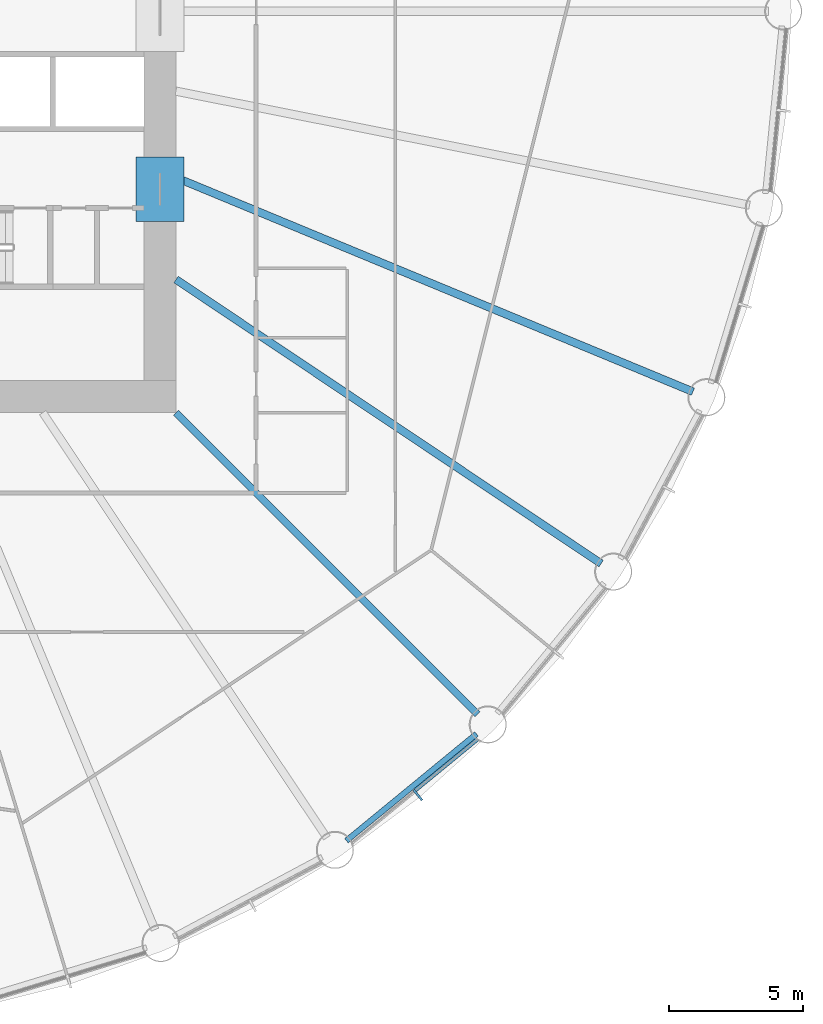
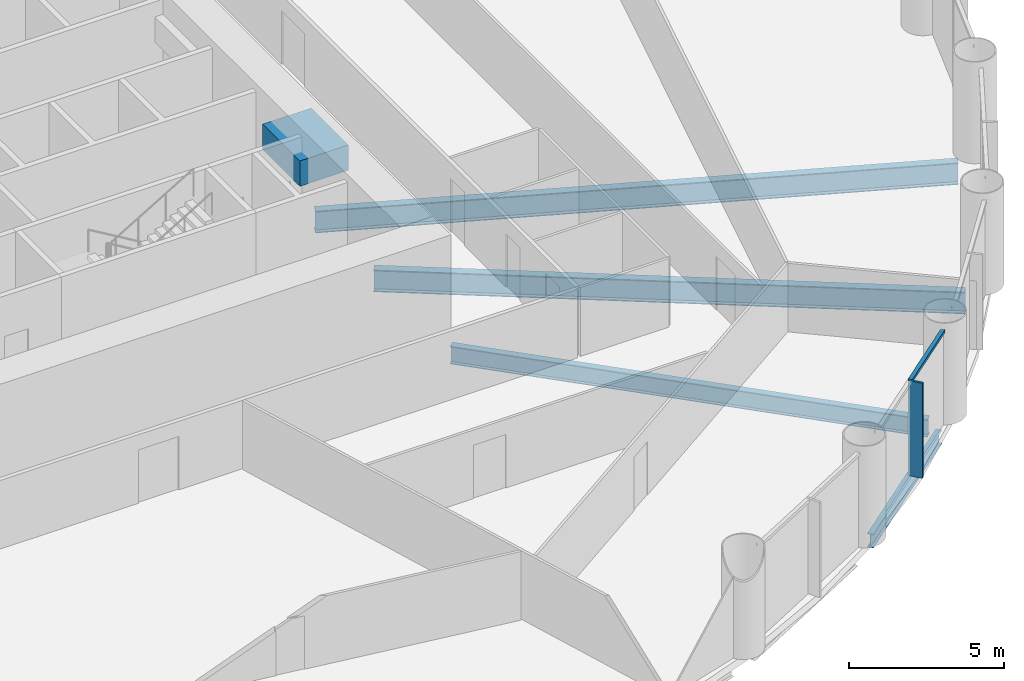
# One storey, part 3 of 15: 5 beams, 2 members, 1 element without a shape of its own.
"""IFC4 building model written with IfcOpenShell, lengths in metres."""

from ifc_helpers import new_model, si_unit, direction, frame, origin, origin_2d, place, context, subcontext, project, spatial, rectangle, i_section, extrude, material, material_profile, profile_set, type_object, element, aggregate, save


model = new_model("IFC4")

# Units and contexts
model_context = context("Model", 3, precision=1e-05, world=origin(), true_north=direction((0.0, 1.0)))
body_context = subcontext(model_context, "Body", "Model", "MODEL_VIEW")
ifc_project = project(units=[si_unit("LENGTHUNIT", "METRE"), si_unit("AREAUNIT", "SQUARE_METRE"), si_unit("VOLUMEUNIT", "CUBIC_METRE"), si_unit("PLANEANGLEUNIT", "RADIAN"), si_unit("MASSUNIT", "GRAM", prefix="KILO")], contexts=[model_context])

# Site, building, storey
site_placement = place(None, origin())
site = spatial("IfcSite", under=ifc_project, at=site_placement, CompositionType="ELEMENT")
building_placement = place(site_placement, origin())
building = spatial("IfcBuilding", under=site, at=building_placement, Name="Corvane Civic Tower", CompositionType="ELEMENT")
storey_placement = place(building_placement, frame((0.0, 0.0, 73.0)))
storey = spatial("IfcBuildingStorey", under=building, at=storey_placement, Name="L16", CompositionType="ELEMENT", Elevation=73.0)

# Beams
ifc_material_1 = material(Name="Concrete C80/95", Category="concrete")
ifc_material_profile_1 = material_profile(ifc_material_1, rectangle(XDim=1.800048828125, YDim=1.0, at=origin_2d()), Name="COUPLING BEAM 1800X1000")
ifc_profile_set_1 = profile_set([ifc_material_profile_1], Name="Concrete C80/95")
beam_type_1 = type_object("IfcBeamType", Name="COUPLING BEAM COUPLING BEAM 1800X1000", PredefinedType="BEAM", material=ifc_profile_set_1)
beam_1_placement = place(storey_placement, frame((14.39990234375, -7.85009765625, 2.60009765625), z_axis=(0.0, 1.0, 0.0), x_axis=(-1.0, 0.0, 0.0)))
element("IfcBeam", 1, at=beam_1_placement, inside=storey, type_object=beam_type_1, Name="BM-L16-cpl-CW-ES", PredefinedType="BEAM", context=body_context, shape_type="SweptSolid", body=[
    extrude(rectangle(XDim=1.800048828125, YDim=1.0, at=origin_2d()), origin(), (0.0, 0.0, 1.0), 2.400146484375),
])
ifc_material_2 = material(Name="Steel ASTM A992 Gr 50", Category="steel")
ifc_material_profile_2 = material_profile(ifc_material_2, i_section(OverallWidth=0.209228515625, OverallDepth=0.533447265625, WebThickness=0.01025390625, FlangeThickness=0.015625, at=origin_2d()), Name="W21X62")
ifc_profile_set_2 = profile_set([ifc_material_profile_2], Name="Steel ASTM A992 Gr 50")
beam_type_2 = type_object("IfcBeamType", Name="EDGE BEAM W21X62", PredefinedType="BEAM", material=ifc_profile_set_2)
beam_2_placement = place(storey_placement, frame((26.23291015625, -27.0068359375, -0.566650390625), z_axis=(-0.773015785286, -0.634386787141, 0.0), x_axis=(0.634386787141, -0.773015785286, 0.0)))
element("IfcBeam", 2, at=beam_2_placement, inside=storey, type_object=beam_type_2, Name="BM-L16-E13", PredefinedType="BEAM", context=body_context, shape_type="SweptSolid", body=[
    extrude(i_section(OverallWidth=0.209228515625, OverallDepth=0.533447265625, WebThickness=0.01025390625, FlangeThickness=0.015625, at=origin_2d()), origin(), (0.0, 0.0, 1.0), 6.290771484375),
])
ifc_material_3 = material(Name="Steel ASTM A992 Gr 50", Category="steel")
ifc_material_profile_3 = material_profile(ifc_material_3, i_section(OverallWidth=0.256591796875, OverallDepth=0.693359375, WebThickness=0.014404296875, FlangeThickness=0.023681640625, at=origin_2d()), Name="W27X114")
ifc_profile_set_3 = profile_set([ifc_material_profile_3], Name="Steel ASTM A992 Gr 50")
beam_type_3 = type_object("IfcBeamType", Name="FLOOR GIRDER W27X114", PredefinedType="BEAM", material=ifc_profile_set_3)
beam_3_placement = place(storey_placement, frame((15.0, -15.0, -0.646728515625), z_axis=(0.707106781187, -0.707106781187, 0.0), x_axis=(0.707106781187, 0.707106781187, 0.0)))
element("IfcBeam", 3, at=beam_3_placement, inside=storey, type_object=beam_type_3, Name="BM-L16-G13", PredefinedType="BEAM", context=body_context, shape_type="SweptSolid", body=[
    extrude(i_section(OverallWidth=0.256591796875, OverallDepth=0.693359375, WebThickness=0.014404296875, FlangeThickness=0.023681640625, at=origin_2d()), origin(), (0.0, 0.0, 1.0), 15.936767578125),
])
ifc_material_4 = material(Name="Steel ASTM A992 Gr 50", Category="steel")
ifc_material_profile_4 = material_profile(ifc_material_4, i_section(OverallWidth=0.2919921875, OverallDepth=0.8583984375, WebThickness=0.01708984375, FlangeThickness=0.031005859375, at=origin_2d()), Name="W33X169")
ifc_profile_set_4 = profile_set([ifc_material_profile_4], Name="Steel ASTM A992 Gr 50")
beam_type_4 = type_object("IfcBeamType", Name="FLOOR GIRDER W33X169", PredefinedType="BEAM", material=ifc_profile_set_4)
beam_4_placement = place(storey_placement, frame((15.0, -6.213134765625, -0.729248046875), z_axis=(0.923875834355, -0.382692360381, 0.0), x_axis=(0.382692360381, 0.923875834355, 0.0)))
element("IfcBeam", 4, at=beam_4_placement, inside=storey, type_object=beam_type_4, Name="BM-L16-G11", PredefinedType="BEAM", context=body_context, shape_type="SweptSolid", body=[
    extrude(i_section(OverallWidth=0.2919921875, OverallDepth=0.8583984375, WebThickness=0.01708984375, FlangeThickness=0.031005859375, at=origin_2d()), origin(), (0.0, 0.0, 1.0), 20.9140625),
])
beam_5_placement = place(storey_placement, frame((15.0, -10.022705078125, -0.729248046875), z_axis=(0.831471985418, -0.555566681385, 0.0), x_axis=(0.555566681385, 0.831471985418, 0.0)))
element("IfcBeam", 5, at=beam_5_placement, inside=storey, type_object=beam_type_4, Name="BM-L16-G12", PredefinedType="BEAM", context=body_context, shape_type="SweptSolid", body=[
    extrude(i_section(OverallWidth=0.2919921875, OverallDepth=0.8583984375, WebThickness=0.01708984375, FlangeThickness=0.031005859375, at=origin_2d()), origin(), (0.0, 0.0, 1.0), 19.109619140625),
])

# Curtain wall, members
ifc_material_5 = material(Name="Anodised aluminium bronze", Category="aluminium")
curtain_wall_type = type_object("IfcCurtainWallType", Name="TOWER CW-T1 STICK CURTAIN WALL", PredefinedType="NOTDEFINED", material=ifc_material_5)
curtain_wall_placement = place(storey_placement, origin())
curtain_wall = element("IfcCurtainWall", 6, at=curtain_wall_placement, inside=storey, type_object=curtain_wall_type, Name="Curtain wall CW-T1 L16 bay 13", PredefinedType="NOTDEFINED")
ifc_material_6 = material(Name="Anodised aluminium bronze", Category="aluminium")
ifc_material_profile_5 = material_profile(ifc_material_6, rectangle(XDim=0.139892578125, YDim=0.1201171875, at=origin_2d()), Name="TOWER CW-T1 TRANSOM 140x120")
ifc_profile_set_5 = profile_set([ifc_material_profile_5], Name="Anodised aluminium bronze")
member_type_1 = type_object("IfcMemberType", Name="TOWER CW-T1 TRANSOM 140x120", PredefinedType="USERDEFINED", material=ifc_profile_set_5)
member_1_placement = place(storey_placement, frame((26.271728515625, -27.20654296875, 3.68994140625), z_axis=(-0.773001943873, -0.634403652865, 0.0), x_axis=(0.634403652865, -0.773001943873, 0.0)))
member_1 = element("IfcMember", 7, at=member_1_placement, type_object=member_type_1, Name="Transom CW-T1 L16 13.1", ObjectType="TRANSOM", PredefinedType="USERDEFINED", context=body_context, shape_type="SweptSolid", body=[
    extrude(rectangle(XDim=0.139892578125, YDim=0.1201171875, at=origin_2d()), origin(), (0.0, 0.0, 1.0), 3.008544921875),
])
ifc_material_7 = material(Name="Anodised aluminium bronze", Category="aluminium")
ifc_material_profile_6 = material_profile(ifc_material_7, rectangle(XDim=0.080078125, YDim=0.5, at=origin_2d()), Name="TOWER FIN MULLION 80x500 BRONZE")
ifc_profile_set_6 = profile_set([ifc_material_profile_6], Name="Anodised aluminium bronze")
member_type_2 = type_object("IfcMemberType", Name="TOWER FIN MULLION 80x500 BRONZE", PredefinedType="MULLION", material=ifc_profile_set_6)
member_2_placement = place(storey_placement, frame((24.0419921875, -29.295166015625, 0.0), z_axis=(0.0, 0.0, 1.0), x_axis=(-0.773007224463, -0.634397218569, 0.0)))
member_2 = element("IfcMember", 8, at=member_2_placement, type_object=member_type_2, Name="Fin mullion 13 L16", PredefinedType="MULLION", context=body_context, shape_type="SweptSolid", body=[
    extrude(rectangle(XDim=0.080078125, YDim=0.5, at=origin_2d()), origin(), (0.0, 0.0, 1.0), 3.75),
])
aggregate(curtain_wall, [member_2, member_1])

save(model, "model.ifc")
